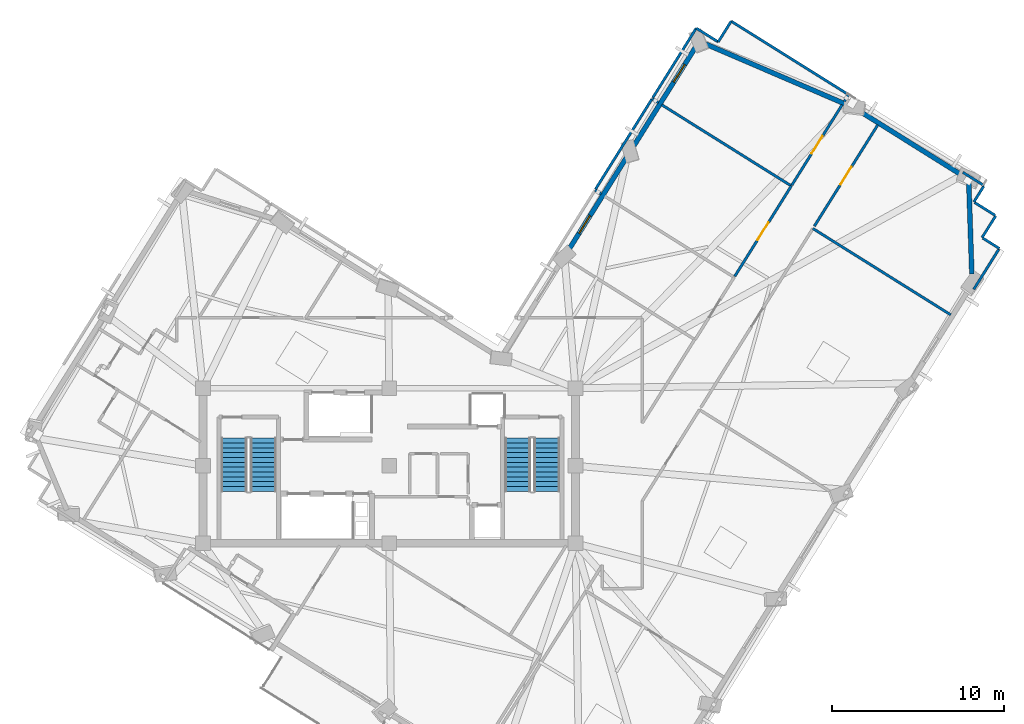
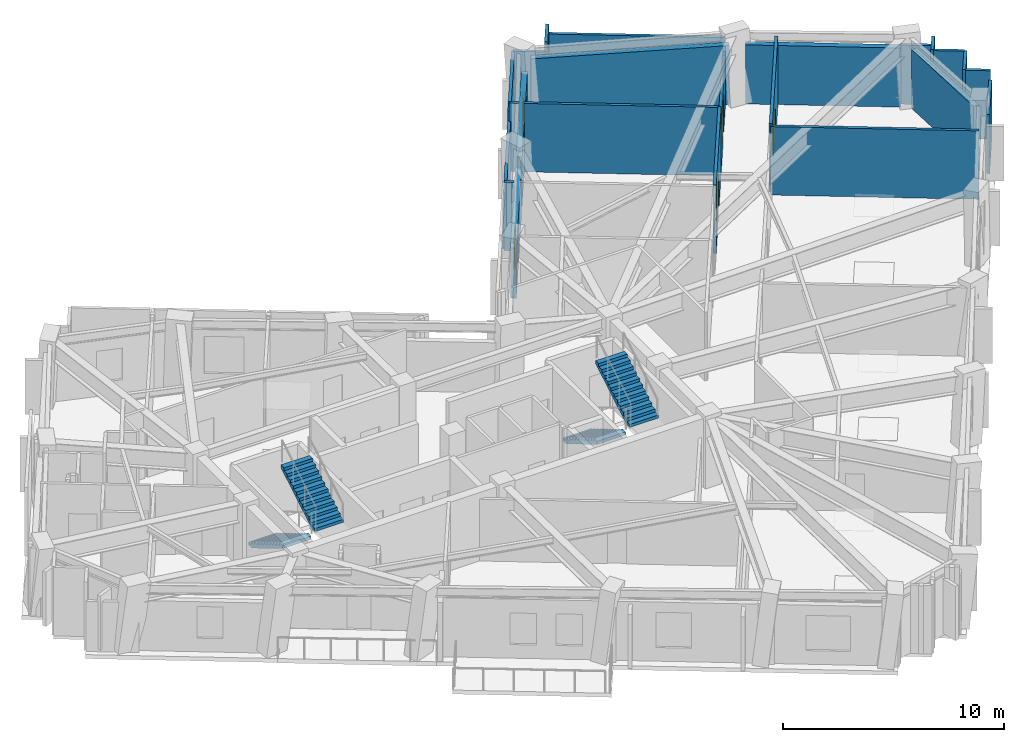
# One storey, part 8 of 12: 24 walls, 4 stair flights, 3 doors, 2 windows, 5 openings, 2 elements without a shape of their own.
"""IFC4 building model written with IfcOpenShell, lengths in metres."""

import ifcopenshell
import ifcopenshell.guid

model = None  # the IFC model being written
_history = None  # IfcOwnerHistory: only IFC2X3 demands one
_inside = {}  # id of a spatial element -> (the spatial element, [elements in it])
_under = {}  # id of a project, library or spatial element -> (it, [spatial elements below it])
_declared = {}  # id of a project -> (the project, [libraries it declares])
_typed = {}  # id of a type object -> (the type object, [elements of that type])
_made_of = {}  # id of a material, layer set ... -> (it, [elements and type objects made of it])


def new_model(schema):
    """Start an empty IFC model of exactly this schema.

    Asked for "IFC4X3", IfcOpenShell would pick the latest addendum, in which some entities
    have other attributes; the version numbers below select the first issue.
    IFC2X3 requires an IfcOwnerHistory on every rooted entity: one is made here for all.
    """
    global model, _history
    if schema == "IFC4X3":
        model = ifcopenshell.file(schema_version=(4, 3, 0, 0))
    else:
        model = ifcopenshell.file(schema=schema)
    _inside.clear()
    _under.clear()
    _declared.clear()
    _typed.clear()
    _made_of.clear()
    _history = None
    if model.schema == "IFC2X3":
        org = make("IfcOrganization", Name="unknown")
        user = make(
            "IfcPersonAndOrganization",
            ThePerson=make("IfcPerson", FamilyName="unknown"),
            TheOrganization=org,
        )
        app = make(
            "IfcApplication",
            ApplicationDeveloper=org,
            Version="unknown",
            ApplicationFullName="unknown",
            ApplicationIdentifier="unknown",
        )
        _history = make(
            "IfcOwnerHistory",
            OwningUser=user,
            OwningApplication=app,
            ChangeAction="ADDED",
            CreationDate=0,
        )
    return model


def make(cls, **values):
    """One entity of the class cls with the attributes given. An attribute that is None is left unset."""
    return model.create_entity(
        cls, **{name: value for name, value in values.items() if value is not None}
    )


def rooted(cls, **values):
    """An entity with a GlobalId (a new one), such as an element, a storey or a relation."""
    return make(cls, GlobalId=ifcopenshell.guid.new(), OwnerHistory=_history, **values)


def si_unit(unit_type, name, prefix=None):
    """IfcSIUnit, for example si_unit("LENGTHUNIT", "METRE", prefix="MILLI")."""
    return make("IfcSIUnit", UnitType=unit_type, Prefix=prefix, Name=name)


def assignment(units):
    """IfcUnitAssignment: the units of a project."""
    return None if units is None else make("IfcUnitAssignment", Units=units)


def point(xyz):
    """IfcCartesianPoint."""
    return None if xyz is None else make("IfcCartesianPoint", Coordinates=xyz)


def direction(xyz):
    """IfcDirection."""
    return None if xyz is None else make("IfcDirection", DirectionRatios=xyz)


def frame(location, z_axis=None, x_axis=None):
    """IfcAxis2Placement3D, a coordinate frame: its origin and axes. An axis left out is left unset."""
    return make(
        "IfcAxis2Placement3D",
        Location=point(location),
        Axis=direction(z_axis),
        RefDirection=direction(x_axis),
    )


def frame_2d(location, x_axis=None):
    """IfcAxis2Placement2D, a coordinate frame in the plane: its origin and x axis."""
    return make(
        "IfcAxis2Placement2D", Location=point(location), RefDirection=direction(x_axis)
    )


def origin():
    """The frame at (0, 0, 0) with its axes left unset."""
    return frame((0.0, 0.0, 0.0))


def place(relative_to, where):
    """IfcLocalPlacement: puts the frame where relative to a parent placement (None: the world)."""
    return make(
        "IfcLocalPlacement", PlacementRelTo=relative_to, RelativePlacement=where
    )


def context(
    kind, dimensions, precision=None, world=None, true_north=None, identifier=None
):
    """IfcGeometricRepresentationContext, for example the 3D "Model" context."""
    return make(
        "IfcGeometricRepresentationContext",
        ContextIdentifier=identifier,
        ContextType=kind,
        CoordinateSpaceDimension=dimensions,
        Precision=precision,
        WorldCoordinateSystem=world,
        TrueNorth=true_north,
    )


def subcontext(parent, identifier, kind, view, scale=None):
    """IfcGeometricRepresentationSubContext, for example "Body" below "Model"."""
    return make(
        "IfcGeometricRepresentationSubContext",
        ContextIdentifier=identifier,
        ContextType=kind,
        ParentContext=parent,
        TargetScale=scale,
        TargetView=view,
    )


def project(units=None, contexts=None):
    """IfcProject with its units and contexts."""
    return rooted(
        "IfcProject",
        Name="project",
        RepresentationContexts=contexts,
        UnitsInContext=assignment(units),
    )


def spatial(cls, under=None, at=None, **own):
    """A site, building, storey or space (cls), placed at a placement, below another one or the project."""
    s = rooted(cls, ObjectPlacement=at, **own)
    if under is not None:
        _under.setdefault(under.id(), (under, []))[1].append(s)
    return s


def polyline(points):
    """IfcPolyline through the points."""
    return make("IfcPolyline", Points=[point(p) for p in points])


def profile(cls, at=None, kind="AREA", **sizes):
    """A parametric profile (cls). Its sizes go by their IFC names, for example OverallWidth=200.0."""
    return make(cls, ProfileType=kind, Position=at, **sizes)


def rectangle(**sizes):
    """IfcRectangleProfileDef."""
    return profile("IfcRectangleProfileDef", **sizes)


def outline(outer, holes=None, kind="AREA"):
    """IfcArbitraryClosedProfileDef: a profile drawn as a closed curve; with holes, ...WithVoids."""
    if holes is None:
        return make("IfcArbitraryClosedProfileDef", ProfileType=kind, OuterCurve=outer)
    return make(
        "IfcArbitraryProfileDefWithVoids",
        ProfileType=kind,
        OuterCurve=outer,
        InnerCurves=holes,
    )


def extrude(swept, where, along, depth):
    """IfcExtrudedAreaSolid: the profile swept, set in the frame where, extruded along a direction by depth."""
    return make(
        "IfcExtrudedAreaSolid",
        SweptArea=swept,
        Position=where,
        ExtrudedDirection=direction(along),
        Depth=depth,
    )


def shape(context_of_items, identifier, shape_type, items):
    """IfcShapeRepresentation: the items that make up one representation, for example the "Body"."""
    return make(
        "IfcShapeRepresentation",
        ContextOfItems=context_of_items,
        RepresentationIdentifier=identifier,
        RepresentationType=shape_type,
        Items=items,
    )


def material(Name=None, Category=None):
    """IfcMaterial."""
    return make("IfcMaterial", Name=Name, Category=Category)


def layer(
    of_material, thickness, ventilated=None, Name=None, Category=None, Priority=None
):
    """IfcMaterialLayer: one layer of a wall or slab, of a material (None: an air gap)."""
    return make(
        "IfcMaterialLayer",
        Material=of_material,
        LayerThickness=thickness,
        IsVentilated=ventilated,
        Name=Name,
        Category=Category,
        Priority=Priority,
    )


def layer_set(layers, Name=None):
    """IfcMaterialLayerSet."""
    return make("IfcMaterialLayerSet", MaterialLayers=layers, LayerSetName=Name)


def made_of(thing, what):
    """Note that an element or type object is made of a material, layer set ...; save() writes the relation."""
    if what is not None:
        _made_of.setdefault(what.id(), (what, []))[1].append(thing)
    return thing


def type_object(cls, material=None, **own):
    """A type object (cls), such as IfcWallType, which elements share."""
    return made_of(rooted(cls, **own), material)


def element(
    cls,
    number,
    at=None,
    inside=None,
    cuts=None,
    type_object=None,
    material=None,
    context=None,
    identifier="Body",
    shape_type=None,
    held_by="IfcProductDefinitionShape",
    body=None,
    shapes=None,
    **own,
):
    """One element of the class cls, such as IfcWall. Its Tag is "e" and its number.

    at: its placement. inside: the storey or other place that contains it. cuts: it is an
    opening in that element (IfcRelVoidsElement). A single representation is given by context,
    identifier, shape_type and body (its items); several are given by shapes. held_by: the class
    of the entity that holds the representations. save() writes the other relations.
    """
    e = rooted(cls, Tag="e%d" % number, ObjectPlacement=at, **own)
    if body is not None:
        shapes = [shape(context, identifier, shape_type, body)]
    if shapes is not None:
        e.Representation = make(held_by, Representations=shapes)
    if inside is not None:
        _inside.setdefault(inside.id(), (inside, []))[1].append(e)
    if cuts is not None:
        rooted(
            "IfcRelVoidsElement", RelatingBuildingElement=cuts, RelatedOpeningElement=e
        )
    if type_object is not None:
        _typed.setdefault(type_object.id(), (type_object, []))[1].append(e)
    return made_of(e, material)


def fill(opening, filler):
    """IfcRelFillsElement: the door or window that sits in an opening."""
    return rooted(
        "IfcRelFillsElement",
        RelatingOpeningElement=opening,
        RelatedBuildingElement=filler,
    )


def aggregate(whole, parts):
    """IfcRelAggregates: a whole, such as a stair, and the parts it consists of."""
    return rooted("IfcRelAggregates", RelatingObject=whole, RelatedObjects=parts)


def save(model, path):
    """Write the relations noted so far, then the file.

    IfcRelAggregates (storeys below a building ...), IfcRelContainedInSpatialStructure (elements
    in a storey), IfcRelDefinesByType, IfcRelAssociatesMaterial and IfcRelDeclares: one each for
    every whole, place, type object, material and project.
    """
    for whole, parts in _under.values():
        aggregate(whole, parts)
    for where, things in _inside.values():
        rooted(
            "IfcRelContainedInSpatialStructure",
            RelatedElements=things,
            RelatingStructure=where,
        )
    for kind, things in _typed.values():
        rooted("IfcRelDefinesByType", RelatedObjects=things, RelatingType=kind)
    for what, things in _made_of.values():
        rooted("IfcRelAssociatesMaterial", RelatedObjects=things, RelatingMaterial=what)
    for by, libraries in _declared.values():
        rooted("IfcRelDeclares", RelatingContext=by, RelatedDefinitions=libraries)
    model.write(path)


model = new_model("IFC4")

# Units and contexts
model_context = context("Model", 3, precision=1e-05, world=origin(), true_north=direction((0.0, 1.0)))
body_context = subcontext(model_context, "Body", "Model", "MODEL_VIEW")
ifc_project = project(units=[si_unit("LENGTHUNIT", "METRE"), si_unit("AREAUNIT", "SQUARE_METRE"), si_unit("VOLUMEUNIT", "CUBIC_METRE"), si_unit("PLANEANGLEUNIT", "RADIAN"), si_unit("MASSUNIT", "GRAM", prefix="KILO")], contexts=[model_context])

# Site, building, storey
site_placement = place(None, origin())
site = spatial("IfcSite", under=ifc_project, at=site_placement, CompositionType="ELEMENT")
building_placement = place(site_placement, origin())
building = spatial("IfcBuilding", under=site, at=building_placement, Name="Gaonmaruhae Medical Tower", CompositionType="ELEMENT")
storey_placement = place(building_placement, frame((0.0, 0.0, 272.60009765625)))
storey = spatial("IfcBuildingStorey", under=building, at=storey_placement, Name="L65", CompositionType="ELEMENT", Elevation=272.60009765625)

# Walls
ifc_material_1 = material(Name="Precast concrete C45/55", Category="concrete")
ifc_layer_1 = layer(ifc_material_1, 0.280029296875)
ifc_layer_set_1 = layer_set([ifc_layer_1], Name="Precast concrete C45/55")
wall_type_1 = type_object("IfcWallType", Name="EW-280 Upper Precast Masonry-Frame Facade Wall", PredefinedType="SOLIDWALL", material=ifc_layer_set_1)
wall_1_placement = place(storey_placement, frame((58.418701171875, 28.719482421875, 0.0), z_axis=(0.0, 0.0, 1.0), x_axis=(0.033204271965, -0.999448586133, 0.0)))
element("IfcWall", 1, at=wall_1_placement, inside=storey, type_object=wall_type_1, Name="L65 Precast Masonry-Frame Wall S06-E01", PredefinedType="SOLIDWALL", context=body_context, shape_type="SweptSolid", body=[
    extrude(rectangle(XDim=5.2939453125, YDim=0.280029296875, at=frame_2d((2.64697265625, 0.0))), origin(), (0.0, 0.0, 1.0), 3.264892578125),
])
wall_2_placement = place(storey_placement, frame((52.01171875, 32.916748046875, 0.0), z_axis=(0.0, 0.0, 1.0), x_axis=(0.847583441626, -0.530662142499, 0.0)))
element("IfcWall", 2, at=wall_2_placement, inside=storey, type_object=wall_type_1, Name="L65 Precast Masonry-Frame Wall E01-E02", PredefinedType="SOLIDWALL", context=body_context, shape_type="SweptSolid", body=[
    extrude(rectangle(XDim=7.04638671875, YDim=0.280029296875, at=frame_2d((3.523193359375, 0.0))), origin(), (0.0, 0.0, 1.0), 3.264892578125),
])
wall_3_placement = place(storey_placement, frame((43.035400390625, 36.81640625, 0.0), z_axis=(0.0, 0.0, 1.0), x_axis=(0.918725262251, -0.394897318935, 0.0)))
element("IfcWall", 3, at=wall_3_placement, inside=storey, type_object=wall_type_1, Name="L65 Precast Masonry-Frame Wall E02-E03", PredefinedType="SOLIDWALL", context=body_context, shape_type="SweptSolid", body=[
    extrude(rectangle(XDim=9.0361328125, YDim=0.280029296875, at=frame_2d((4.51806640625, 0.0))), origin(), (0.0, 0.0, 1.0), 3.264892578125),
])

# Wall, opening, window
wall_4_placement = place(storey_placement, frame((38.9912109375, 30.866943359375, 0.0), z_axis=(0.0, 0.0, 1.0), x_axis=(0.530665550712, 0.847581307774, 0.0)))
wall_4 = element("IfcWall", 4, at=wall_4_placement, inside=storey, type_object=wall_type_1, Name="L65 Precast Masonry-Frame Wall E03-EN01", PredefinedType="SOLIDWALL", context=body_context, shape_type="SweptSolid", body=[
    extrude(rectangle(XDim=6.780029296875, YDim=0.280029296875, at=frame_2d((3.39013671875, 0.0))), origin(), (0.0, 0.0, 1.0), 2.764892578125),
])
opening_1_placement = place(wall_4_placement, frame((4.352783203125, 0.0, 0.75)))
opening_1 = element("IfcOpeningElement", 5, at=opening_1_placement, cuts=wall_4, Name="Opening WN-05", PredefinedType="OPENING", context=body_context, shape_type="SweptSolid", body=[
    extrude(rectangle(XDim=1.199951171875, YDim=1.75, at=frame_2d((0.60009765625, 0.875))), frame((0.0, 0.14990234375, 0.0), z_axis=(0.0, -1.0, 0.0), x_axis=(1.0, 0.0, 0.0)), (0.0, 0.0, 1.0), 0.300048828125),
])
ifc_material_2 = material(Name="Anodised aluminium and Low-E double glazing", Category="aluminium")
window_type = type_object("IfcWindowType", Name="WN-05 Support & Staff Punched Window 1200x1750", PartitioningType="SINGLE_PANEL", PredefinedType="WINDOW", material=ifc_material_2)
window_1_placement = place(opening_1_placement, origin())
window_1 = element("IfcWindow", 6, at=window_1_placement, inside=storey, type_object=window_type, Name="L65 Modular Facade Window E03", OverallHeight=1.75, OverallWidth=1.199951171875, PartitioningType="SINGLE_PANEL", PredefinedType="WINDOW", context=body_context, shape_type="SweptSolid", body=[
    extrude(rectangle(XDim=1.199951171875, YDim=1.75, at=frame_2d((0.60009765625, 0.875))), frame((0.0, 0.030029296875, 0.0), z_axis=(0.0, -1.0, 0.0), x_axis=(1.0, 0.0, 0.0)), (0.0, 0.0, 1.0), 0.06005859375),
])
fill(opening_1, window_1)

wall_5_placement = place(storey_placement, frame((35.17333984375, 24.76904296875, 0.0), z_axis=(0.0, 0.0, 1.0), x_axis=(0.530669842766, 0.84757862053, 0.0)))
wall_5 = element("IfcWall", 7, at=wall_5_placement, inside=storey, type_object=wall_type_1, Name="L65 Precast Masonry-Frame Wall EN01-EN02", PredefinedType="SOLIDWALL", context=body_context, shape_type="SweptSolid", body=[
    extrude(rectangle(XDim=6.40966796875, YDim=0.280029296875, at=frame_2d((3.204833984375, 0.0))), origin(), (0.0, 0.0, 1.0), 2.764892578125),
])
opening_2_placement = place(wall_5_placement, frame((1.20068359375, 0.0, 0.75)))
opening_2 = element("IfcOpeningElement", 8, at=opening_2_placement, cuts=wall_5, Name="Opening WN-05", PredefinedType="OPENING", context=body_context, shape_type="SweptSolid", body=[
    extrude(rectangle(XDim=1.199951171875, YDim=1.75, at=frame_2d((0.60009765625, 0.875))), frame((0.0, 0.14990234375, 0.0), z_axis=(0.0, -1.0, 0.0), x_axis=(1.0, 0.0, 0.0)), (0.0, 0.0, 1.0), 0.300048828125),
])
window_2_placement = place(opening_2_placement, origin())
window_2 = element("IfcWindow", 9, at=window_2_placement, inside=storey, type_object=window_type, Name="L65 Modular Facade Window EN01", OverallHeight=1.75, OverallWidth=1.199951171875, PartitioningType="SINGLE_PANEL", PredefinedType="WINDOW", context=body_context, shape_type="SweptSolid", body=[
    extrude(rectangle(XDim=1.199951171875, YDim=1.75, at=frame_2d((0.60009765625, 0.875))), frame((0.0, 0.030029296875, 0.0), z_axis=(0.0, -1.0, 0.0), x_axis=(1.0, 0.0, 0.0)), (0.0, 0.0, 1.0), 0.06005859375),
])
fill(opening_2, window_2)

# Walls
ifc_material_3 = material(Name="Gypsum board partition", Category="gypsum")
ifc_layer_2 = layer(ifc_material_3, 0.14990234375)
ifc_layer_set_2 = layer_set([ifc_layer_2], Name="Gypsum board partition")
wall_type_2 = type_object("IfcWallType", Name="PW-150 Rated Clinical Corridor Partition", PredefinedType="PARTITIONING", material=ifc_layer_set_2)
wall_6_placement = place(storey_placement, frame((49.3740234375, 26.06201171875, 0.0), z_axis=(0.0, 0.0, 1.0), x_axis=(0.847573559708, -0.530677925756, 0.0)))
element("IfcWall", 10, at=wall_6_placement, inside=storey, type_object=wall_type_2, Name="L65 Interior Partition L65-SUP03-26", PredefinedType="PARTITIONING", context=body_context, shape_type="SweptSolid", body=[
    extrude(rectangle(XDim=9.435302734375, YDim=0.14990234375, at=frame_2d((4.7177734375, 0.0))), origin(), (0.0, 0.0, 1.0), 3.77978515625),
])
wall_7_placement = place(storey_placement, frame((59.985107421875, 26.803955078125, 0.0), z_axis=(0.0, 0.0, 1.0), x_axis=(-0.530847360181, -0.847467450814, 0.0)))
element("IfcWall", 11, at=wall_7_placement, inside=storey, type_object=wall_type_2, Name="L65 Interior Partition L65-SUP04-29", PredefinedType="PARTITIONING", context=body_context, shape_type="SweptSolid", body=[
    extrude(rectangle(XDim=1.499755859375, YDim=0.14990234375, at=frame_2d((0.75, 0.0))), origin(), (0.0, 0.0, 1.0), 3.77978515625),
])
wall_8_placement = place(storey_placement, frame((59.23095703125, 25.506103515625, 0.0), z_axis=(0.0, 0.0, 1.0), x_axis=(0.847464016809, -0.530852842334, 0.0)))
element("IfcWall", 12, at=wall_8_placement, inside=storey, type_object=wall_type_2, Name="L65 Interior Partition L65-SUP04-30", PredefinedType="PARTITIONING", context=body_context, shape_type="SweptSolid", body=[
    extrude(rectangle(XDim=1.13037109375, YDim=0.14990234375, at=frame_2d((0.565185546875, 0.0))), origin(), (0.0, 0.0, 1.0), 3.77978515625),
])
wall_9_placement = place(storey_placement, frame((60.162109375, 24.864013671875, 0.0), z_axis=(0.0, 0.0, 1.0), x_axis=(-0.530700631331, -0.847559342999, 0.0)))
element("IfcWall", 13, at=wall_9_placement, inside=storey, type_object=wall_type_2, Name="L65 Interior Partition L65-SUP04-31", PredefinedType="PARTITIONING", context=body_context, shape_type="SweptSolid", body=[
    extrude(rectangle(XDim=2.75146484375, YDim=0.14990234375, at=frame_2d((1.375732421875, 0.0))), origin(), (0.0, 0.0, 1.0), 3.264892578125),
])

# Wall, opening, door
wall_10_placement = place(storey_placement, frame((49.458984375, 26.197021484375, 0.0), z_axis=(0.0, 0.0, 1.0), x_axis=(0.530644342524, 0.847594585723, 0.0)))
wall_10 = element("IfcWall", 14, at=wall_10_placement, inside=storey, type_object=wall_type_2, Name="L65 Interior Partition L65-SUP04-32", PredefinedType="PARTITIONING", context=body_context, shape_type="SweptSolid", body=[
    extrude(rectangle(XDim=6.934814453125, YDim=0.14990234375, at=frame_2d((3.46728515625, 0.0))), origin(), (0.0, 0.0, 1.0), 3.77978515625),
])
opening_3_placement = place(wall_10_placement, frame((2.867431640625, 0.0, 0.0)))
opening_3 = element("IfcOpeningElement", 15, at=opening_3_placement, cuts=wall_10, Name="Opening CD-02", PredefinedType="OPENING", context=body_context, shape_type="SweptSolid", body=[
    extrude(rectangle(XDim=1.199951171875, YDim=2.14990234375, at=frame_2d((0.60009765625, 1.074951171875))), frame((0.0, 0.0849609375, 0.0), z_axis=(0.0, -1.0, 0.0), x_axis=(1.0, 0.0, 0.0)), (0.0, 0.0, 1.0), 0.169921875),
])
ifc_material_4 = material(Name="Antimicrobial laminate timber fire door", Category="wood")
door_type = type_object("IfcDoorType", Name="CD-02 Clinical Treatment & Procedure Door 1200x2150", OperationType="NOTDEFINED", PredefinedType="DOOR", material=ifc_material_4)
door_1_placement = place(opening_3_placement, origin())
door_1 = element("IfcDoor", 16, at=door_1_placement, inside=storey, type_object=door_type, Name="L65 Clinical Biomedical Charting Office Door", OperationType="SINGLE_SWING_RIGHT", OverallHeight=2.14990234375, OverallWidth=1.199951171875, PredefinedType="DOOR", context=body_context, shape_type="SweptSolid", body=[
    extrude(rectangle(XDim=1.199951171875, YDim=2.14990234375, at=frame_2d((0.60009765625, 1.074951171875))), frame((0.0, 0.02490234375, 0.0), z_axis=(0.0, -1.0, 0.0), x_axis=(1.0, 0.0, 0.0)), (0.0, 0.0, 1.0), 0.050048828125),
])
fill(opening_3, door_1)

# Walls
wall_11_placement = place(storey_placement, frame((58.073974609375, 29.321044921875, 0.0), z_axis=(0.0, 0.0, 1.0), x_axis=(0.847800378652, -0.53031548908, 0.0)))
element("IfcWall", 17, at=wall_11_placement, inside=storey, type_object=wall_type_2, Name="L65 Interior Partition L65-SUP04-33", PredefinedType="PARTITIONING", context=body_context, shape_type="SweptSolid", body=[
    extrude(rectangle(XDim=1.45556640625, YDim=0.14990234375, at=frame_2d((0.727783203125, 0.0))), origin(), (0.0, 0.0, 1.0), 3.264892578125),
])
wall_12_placement = place(storey_placement, frame((59.281005859375, 28.507080078125, 0.0), z_axis=(0.0, 0.0, 1.0), x_axis=(-0.530019457591, -0.847985480168, 0.0)))
element("IfcWall", 18, at=wall_12_placement, inside=storey, type_object=wall_type_2, Name="L65 Interior Partition L65-SUP04-34", PredefinedType="PARTITIONING", context=body_context, shape_type="SweptSolid", body=[
    extrude(rectangle(XDim=1.069580078125, YDim=0.14990234375, at=frame_2d((0.53466796875, 0.0))), origin(), (0.0, 0.0, 1.0), 3.77978515625),
])
wall_13_placement = place(storey_placement, frame((58.756103515625, 27.572998046875, 0.0), z_axis=(0.0, 0.0, 1.0), x_axis=(0.847978706859, -0.530030294147, 0.0)))
element("IfcWall", 19, at=wall_13_placement, inside=storey, type_object=wall_type_2, Name="L65 Interior Partition L65-SUP04-35", PredefinedType="PARTITIONING", context=body_context, shape_type="SweptSolid", body=[
    extrude(rectangle(XDim=1.39990234375, YDim=0.14990234375, at=frame_2d((0.699951171875, 0.0))), origin(), (0.0, 0.0, 1.0), 3.77978515625),
])
wall_14_placement = place(storey_placement, frame((36.72998046875, 28.291015625, 0.0), z_axis=(0.0, 0.0, 1.0), x_axis=(0.846954729699, -0.531665012804, 0.0)))
element("IfcWall", 20, at=wall_14_placement, inside=storey, type_object=wall_type_2, Name="L65 Interior Partition L65-RM04-92", PredefinedType="PARTITIONING", context=body_context, shape_type="SweptSolid", body=[
    extrude(rectangle(XDim=0.434326171875, YDim=0.14990234375, at=frame_2d((0.21728515625, 0.0))), origin(), (0.0, 0.0, 1.0), 3.77978515625),
])
wall_15_placement = place(storey_placement, frame((36.761962890625, 28.342041015625, 0.0), z_axis=(0.0, 0.0, 1.0), x_axis=(0.530523539414, 0.847670203634, 0.0)))
element("IfcWall", 21, at=wall_15_placement, inside=storey, type_object=wall_type_2, Name="L65 Interior Partition L65-RM05-95", PredefinedType="PARTITIONING", context=body_context, shape_type="SweptSolid", body=[
    extrude(rectangle(XDim=6.18994140625, YDim=0.14990234375, at=frame_2d((3.094970703125, 0.0))), origin(), (0.0, 0.0, 1.0), 2.764892578125),
])
wall_16_placement = place(storey_placement, frame((40.0458984375, 33.589111328125, 0.0), z_axis=(0.0, 0.0, 1.0), x_axis=(0.847494089862, -0.530804830092, 0.0)))
element("IfcWall", 22, at=wall_16_placement, inside=storey, type_object=wall_type_2, Name="L65 Interior Partition L65-RM05-96", PredefinedType="PARTITIONING", context=body_context, shape_type="SweptSolid", body=[
    extrude(rectangle(XDim=0.435546875, YDim=0.14990234375, at=frame_2d((0.2177734375, 0.0))), origin(), (0.0, 0.0, 1.0), 3.77978515625),
])
wall_17_placement = place(storey_placement, frame((40.610107421875, 33.236083984375, 0.0), z_axis=(0.0, 0.0, 1.0), x_axis=(0.847597339737, -0.530639943531, 0.0)))
element("IfcWall", 23, at=wall_17_placement, inside=storey, type_object=wall_type_2, Name="L65 Interior Partition L65-RM05-97", PredefinedType="PARTITIONING", context=body_context, shape_type="SweptSolid", body=[
    extrude(rectangle(XDim=8.864990234375, YDim=0.14990234375, at=frame_2d((4.4326171875, 0.0))), origin(), (0.0, 0.0, 1.0), 3.77978515625),
])

# Wall, opening, door
wall_18_placement = place(storey_placement, frame((48.1240234375, 28.531982421875, 0.0), z_axis=(0.0, 0.0, 1.0), x_axis=(-0.530636886246, -0.847599253749, 0.0)))
wall_18 = element("IfcWall", 24, at=wall_18_placement, inside=storey, type_object=wall_type_2, Name="L65 Interior Partition L65-RM05-98", PredefinedType="PARTITIONING", context=body_context, shape_type="SweptSolid", body=[
    extrude(rectangle(XDim=6.1904296875, YDim=0.14990234375, at=frame_2d((3.09521484375, 0.0))), origin(), (0.0, 0.0, 1.0), 3.77978515625),
])
opening_4_placement = place(wall_18_placement, frame((2.4951171875, 0.0, 0.0)))
opening_4 = element("IfcOpeningElement", 25, at=opening_4_placement, cuts=wall_18, Name="Opening CD-02", PredefinedType="OPENING", context=body_context, shape_type="SweptSolid", body=[
    extrude(rectangle(XDim=1.199951171875, YDim=2.14990234375, at=frame_2d((0.60009765625, 1.074951171875))), frame((0.0, 0.0849609375, 0.0), z_axis=(0.0, -1.0, 0.0), x_axis=(1.0, 0.0, 0.0)), (0.0, 0.0, 1.0), 0.169921875),
])
door_2_placement = place(opening_4_placement, origin())
door_2 = element("IfcDoor", 26, at=door_2_placement, inside=storey, type_object=door_type, Name="L65 Clinical Case Review Office Door", OperationType="SINGLE_SWING_RIGHT", OverallHeight=2.14990234375, OverallWidth=1.199951171875, PredefinedType="DOOR", context=body_context, shape_type="SweptSolid", body=[
    extrude(rectangle(XDim=1.199951171875, YDim=2.14990234375, at=frame_2d((0.60009765625, 1.074951171875))), frame((0.0, 0.02490234375, 0.0), z_axis=(0.0, -1.0, 0.0), x_axis=(1.0, 0.0, 0.0)), (0.0, 0.0, 1.0), 0.050048828125),
])
fill(opening_4, door_2)

# Walls
wall_19_placement = place(storey_placement, frame((43.881103515625, 36.886962890625, 0.0), z_axis=(0.0, 0.0, 1.0), x_axis=(0.530493633922, 0.847688919574, 0.0)))
element("IfcWall", 27, at=wall_19_placement, inside=storey, type_object=wall_type_2, Name="L65 Interior Partition L65-RM06-99", PredefinedType="PARTITIONING", context=body_context, shape_type="SweptSolid", body=[
    extrude(rectangle(XDim=1.419189453125, YDim=0.14990234375, at=frame_2d((0.70947265625, 0.0))), origin(), (0.0, 0.0, 1.0), 3.77978515625),
])
wall_20_placement = place(storey_placement, frame((44.634033203125, 38.090087890625, 0.0), z_axis=(0.0, 0.0, 1.0), x_axis=(0.847589810527, -0.530651969836, 0.0)))
element("IfcWall", 28, at=wall_20_placement, inside=storey, type_object=wall_type_2, Name="L65 Interior Partition L65-RM06-100", PredefinedType="PARTITIONING", context=body_context, shape_type="SweptSolid", body=[
    extrude(rectangle(XDim=8.02978515625, YDim=0.14990234375, at=frame_2d((4.014892578125, 0.0))), origin(), (0.0, 0.0, 1.0), 3.264892578125),
])
wall_21_placement = place(storey_placement, frame((51.43994140625, 33.8291015625, 0.0), z_axis=(0.0, 0.0, 1.0), x_axis=(-0.530848229426, -0.847466906324, 0.0)))
element("IfcWall", 29, at=wall_21_placement, inside=storey, type_object=wall_type_2, Name="L65 Interior Partition L65-RM06-101", PredefinedType="PARTITIONING", context=body_context, shape_type="SweptSolid", body=[
    extrude(rectangle(XDim=0.46484375, YDim=0.14990234375, at=frame_2d((0.232421875, 0.0))), origin(), (0.0, 0.0, 1.0), 2.764892578125),
])

# Wall, opening, door
wall_22_placement = place(storey_placement, frame((51.070068359375, 33.238037109375, 0.0), z_axis=(0.0, 0.0, 1.0), x_axis=(-0.530530213169, -0.847666026755, 0.0)))
wall_22 = element("IfcWall", 30, at=wall_22_placement, inside=storey, type_object=wall_type_2, Name="L65 Interior Partition L65-RM06-102", PredefinedType="PARTITIONING", context=body_context, shape_type="SweptSolid", body=[
    extrude(rectangle(XDim=5.49267578125, YDim=0.14990234375, at=frame_2d((2.746337890625, 0.0))), origin(), (0.0, 0.0, 1.0), 2.764892578125),
])
opening_5_placement = place(wall_22_placement, frame((2.146240234375, 0.0, 0.0)))
opening_5 = element("IfcOpeningElement", 31, at=opening_5_placement, cuts=wall_22, Name="Opening CD-02", PredefinedType="OPENING", context=body_context, shape_type="SweptSolid", body=[
    extrude(rectangle(XDim=1.199951171875, YDim=2.14990234375, at=frame_2d((0.60009765625, 1.074951171875))), frame((0.0, 0.0849609375, 0.0), z_axis=(0.0, -1.0, 0.0), x_axis=(1.0, 0.0, 0.0)), (0.0, 0.0, 1.0), 0.169921875),
])
door_3_placement = place(opening_5_placement, origin())
door_3 = element("IfcDoor", 32, at=door_3_placement, inside=storey, type_object=door_type, Name="L65 Care Team Clinical Charting Office Door", OperationType="SINGLE_SWING_RIGHT", OverallHeight=2.14990234375, OverallWidth=1.199951171875, PredefinedType="DOOR", context=body_context, shape_type="SweptSolid", body=[
    extrude(rectangle(XDim=1.199951171875, YDim=2.14990234375, at=frame_2d((0.60009765625, 1.074951171875))), frame((0.0, 0.02490234375, 0.0), z_axis=(0.0, -1.0, 0.0), x_axis=(1.0, 0.0, 0.0)), (0.0, 0.0, 1.0), 0.050048828125),
])
fill(opening_5, door_3)

# Walls
wall_23_placement = place(storey_placement, frame((40.077880859375, 33.639892578125, 0.0), z_axis=(0.0, 0.0, 1.0), x_axis=(0.530601485955, 0.847621414962, 0.0)))
element("IfcWall", 33, at=wall_23_placement, inside=storey, type_object=wall_type_2, Name="L65 Interior Partition L65-RM06-103", PredefinedType="PARTITIONING", context=body_context, shape_type="SweptSolid", body=[
    extrude(rectangle(XDim=4.77001953125, YDim=0.14990234375, at=frame_2d((2.385009765625, 0.0))), origin(), (0.0, 0.0, 1.0), 3.264892578125),
])
wall_24_placement = place(storey_placement, frame((42.60888671875, 37.68310546875, 0.0), z_axis=(0.0, 0.0, 1.0), x_axis=(0.847696579244, -0.53048139415, 0.0)))
element("IfcWall", 34, at=wall_24_placement, inside=storey, type_object=wall_type_2, Name="L65 Interior Partition L65-RM06-104", PredefinedType="PARTITIONING", context=body_context, shape_type="SweptSolid", body=[
    extrude(rectangle(XDim=1.500732421875, YDim=0.14990234375, at=frame_2d((0.75048828125, 0.0))), origin(), (0.0, 0.0, 1.0), 3.264892578125),
])

# Stair, stair flights
ifc_material_5 = material(Name="Concrete C40/50", Category="concrete")
stair_type = type_object("IfcStairType", Name="ST-T1 Primary Core Escape Dogleg Stair", PredefinedType="TWO_QUARTER_TURN_STAIR", material=ifc_material_5)
stair_1_placement = place(storey_placement, origin())
stair_1 = element("IfcStair", 35, at=stair_1_placement, inside=storey, type_object=stair_type, Name="L65 Protected Escape Stair ST-01", PredefinedType="TWO_QUARTER_TURN_STAIR")
stair_flight_type = type_object("IfcStairFlightType", Name="SF-T1 Primary Core Precast Stair Flight", PredefinedType="STRAIGHT", material=ifc_material_5)
stair_flight_1_placement = place(storey_placement, frame((15.800048828125, 13.89990234375, 0.0), z_axis=(0.0, 0.0, 1.0), x_axis=(0.0, -1.0, 0.0)))
stair_flight_1 = element("IfcStairFlight", 36, at=stair_flight_1_placement, type_object=stair_flight_type, Name="ST-01 flight 1", NumberOfRisers=12, NumberOfTreads=11, PredefinedType="STRAIGHT", RiserHeight=0.166666667, TreadLength=0.28, context=body_context, shape_type="SweptSolid", body=[
    extrude(outline(polyline([(0.0, 0.0), (0.0, 0.166748046875), (0.280029296875, 0.166748046875), (0.280029296875, 0.333251953125), (0.56005859375, 0.333251953125), (0.56005859375, 0.5), (0.840087890625, 0.5), (0.840087890625, 0.666748046875), (1.1201171875, 0.666748046875), (1.1201171875, 0.833251953125), (1.39990234375, 0.833251953125), (1.39990234375, 1.0), (1.679931640625, 1.0), (1.679931640625, 1.166748046875), (1.9599609375, 1.166748046875), (1.9599609375, 1.333251953125), (2.239990234375, 1.333251953125), (2.239990234375, 1.5), (2.52001953125, 1.5), (2.52001953125, 1.666748046875), (2.800048828125, 1.666748046875), (2.800048828125, 1.833251953125), (3.080078125, 1.833251953125), (3.080078125, 2.0), (3.080078125, 1.658935546875), (0.29296875, 0.0), (0.0, 0.0)])), frame((0.0, 0.75, 0.0), z_axis=(0.0, -1.0, 0.0), x_axis=(1.0, 0.0, 0.0)), (0.0, 0.0, 1.0), 1.5),
])
stair_flight_2_placement = place(storey_placement, frame((17.5, 10.820068359375, 2.0), z_axis=(0.0, 0.0, 1.0), x_axis=(0.0, 1.0, 0.0)))
stair_flight_2 = element("IfcStairFlight", 37, at=stair_flight_2_placement, type_object=stair_flight_type, Name="ST-01 flight 2", NumberOfRisers=12, NumberOfTreads=11, PredefinedType="STRAIGHT", RiserHeight=0.166666667, TreadLength=0.28, context=body_context, shape_type="SweptSolid", body=[
    extrude(outline(polyline([(0.0, 0.0), (0.0, 0.166748046875), (0.280029296875, 0.166748046875), (0.280029296875, 0.333251953125), (0.56005859375, 0.333251953125), (0.56005859375, 0.5), (0.840087890625, 0.5), (0.840087890625, 0.666748046875), (1.1201171875, 0.666748046875), (1.1201171875, 0.833251953125), (1.39990234375, 0.833251953125), (1.39990234375, 1.0), (1.679931640625, 1.0), (1.679931640625, 1.166748046875), (1.9599609375, 1.166748046875), (1.9599609375, 1.333251953125), (2.239990234375, 1.333251953125), (2.239990234375, 1.5), (2.52001953125, 1.5), (2.52001953125, 1.666748046875), (2.800048828125, 1.666748046875), (2.800048828125, 1.833251953125), (3.080078125, 1.833251953125), (3.080078125, 2.0), (3.080078125, 1.658935546875), (0.29296875, 0.0), (0.0, 0.0)])), frame((0.0, 0.75, 0.0), z_axis=(0.0, -1.0, 0.0), x_axis=(1.0, 0.0, 0.0)), (0.0, 0.0, 1.0), 1.5),
])
aggregate(stair_1, [stair_flight_1, stair_flight_2])

stair_2_placement = place(storey_placement, origin())
stair_2 = element("IfcStair", 38, at=stair_2_placement, inside=storey, type_object=stair_type, Name="L65 Protected Escape Stair ST-02", PredefinedType="TWO_QUARTER_TURN_STAIR")
stair_flight_3_placement = place(storey_placement, frame((32.25, 13.89990234375, 0.0), z_axis=(0.0, 0.0, 1.0), x_axis=(0.0, -1.0, 0.0)))
stair_flight_3 = element("IfcStairFlight", 39, at=stair_flight_3_placement, type_object=stair_flight_type, Name="ST-02 flight 1", NumberOfRisers=12, NumberOfTreads=11, PredefinedType="STRAIGHT", RiserHeight=0.166666667, TreadLength=0.28, context=body_context, shape_type="SweptSolid", body=[
    extrude(outline(polyline([(0.0, 0.0), (0.0, 0.166748046875), (0.280029296875, 0.166748046875), (0.280029296875, 0.333251953125), (0.56005859375, 0.333251953125), (0.56005859375, 0.5), (0.840087890625, 0.5), (0.840087890625, 0.666748046875), (1.1201171875, 0.666748046875), (1.1201171875, 0.833251953125), (1.39990234375, 0.833251953125), (1.39990234375, 1.0), (1.679931640625, 1.0), (1.679931640625, 1.166748046875), (1.9599609375, 1.166748046875), (1.9599609375, 1.333251953125), (2.239990234375, 1.333251953125), (2.239990234375, 1.5), (2.52001953125, 1.5), (2.52001953125, 1.666748046875), (2.800048828125, 1.666748046875), (2.800048828125, 1.833251953125), (3.080078125, 1.833251953125), (3.080078125, 2.0), (3.080078125, 1.658935546875), (0.29296875, 0.0), (0.0, 0.0)])), frame((0.0, 0.75, 0.0), z_axis=(0.0, -1.0, 0.0), x_axis=(1.0, 0.0, 0.0)), (0.0, 0.0, 1.0), 1.5),
])
stair_flight_4_placement = place(storey_placement, frame((33.949951171875, 10.820068359375, 2.0), z_axis=(0.0, 0.0, 1.0), x_axis=(0.0, 1.0, 0.0)))
stair_flight_4 = element("IfcStairFlight", 40, at=stair_flight_4_placement, type_object=stair_flight_type, Name="ST-02 flight 2", NumberOfRisers=12, NumberOfTreads=11, PredefinedType="STRAIGHT", RiserHeight=0.166666667, TreadLength=0.28, context=body_context, shape_type="SweptSolid", body=[
    extrude(outline(polyline([(0.0, 0.0), (0.0, 0.166748046875), (0.280029296875, 0.166748046875), (0.280029296875, 0.333251953125), (0.56005859375, 0.333251953125), (0.56005859375, 0.5), (0.840087890625, 0.5), (0.840087890625, 0.666748046875), (1.1201171875, 0.666748046875), (1.1201171875, 0.833251953125), (1.39990234375, 0.833251953125), (1.39990234375, 1.0), (1.679931640625, 1.0), (1.679931640625, 1.166748046875), (1.9599609375, 1.166748046875), (1.9599609375, 1.333251953125), (2.239990234375, 1.333251953125), (2.239990234375, 1.5), (2.52001953125, 1.5), (2.52001953125, 1.666748046875), (2.800048828125, 1.666748046875), (2.800048828125, 1.833251953125), (3.080078125, 1.833251953125), (3.080078125, 2.0), (3.080078125, 1.658935546875), (0.29296875, 0.0), (0.0, 0.0)])), frame((0.0, 0.75, 0.0), z_axis=(0.0, -1.0, 0.0), x_axis=(1.0, 0.0, 0.0)), (0.0, 0.0, 1.0), 1.5),
])
aggregate(stair_2, [stair_flight_3, stair_flight_4])

save(model, "model.ifc")
